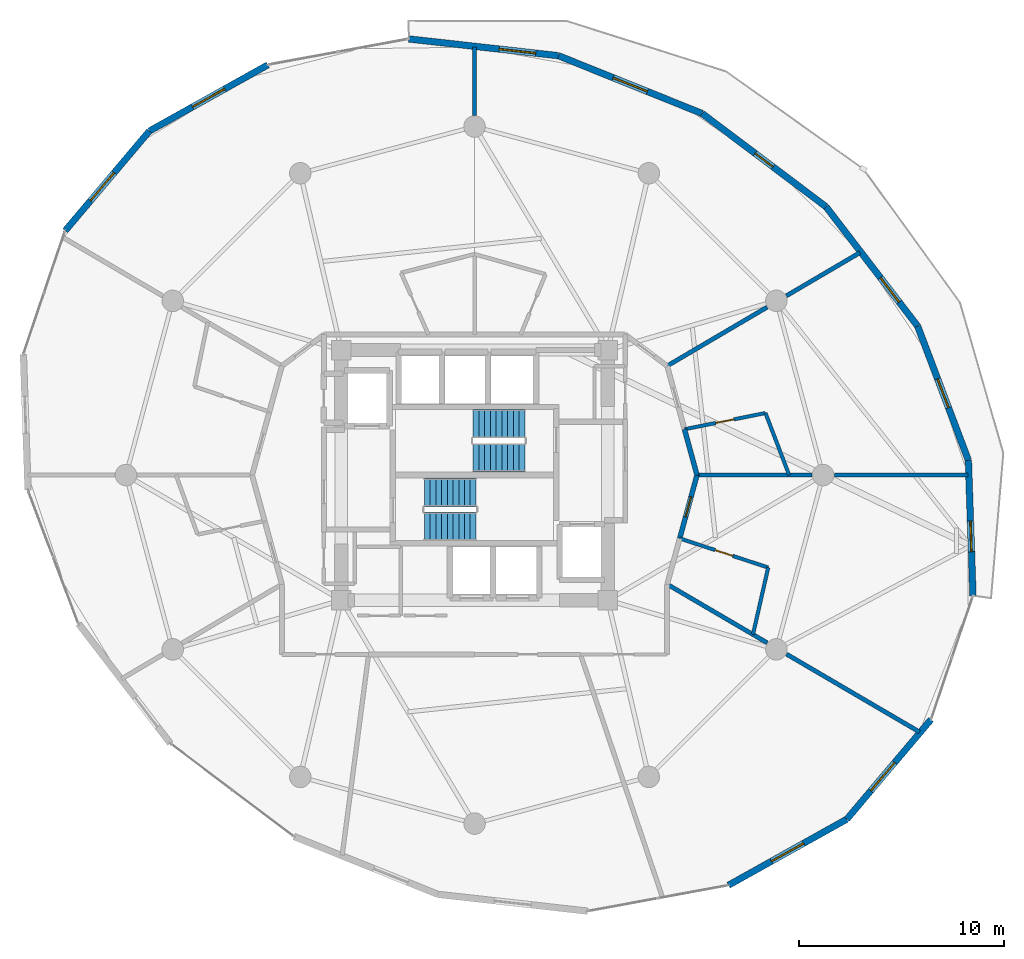
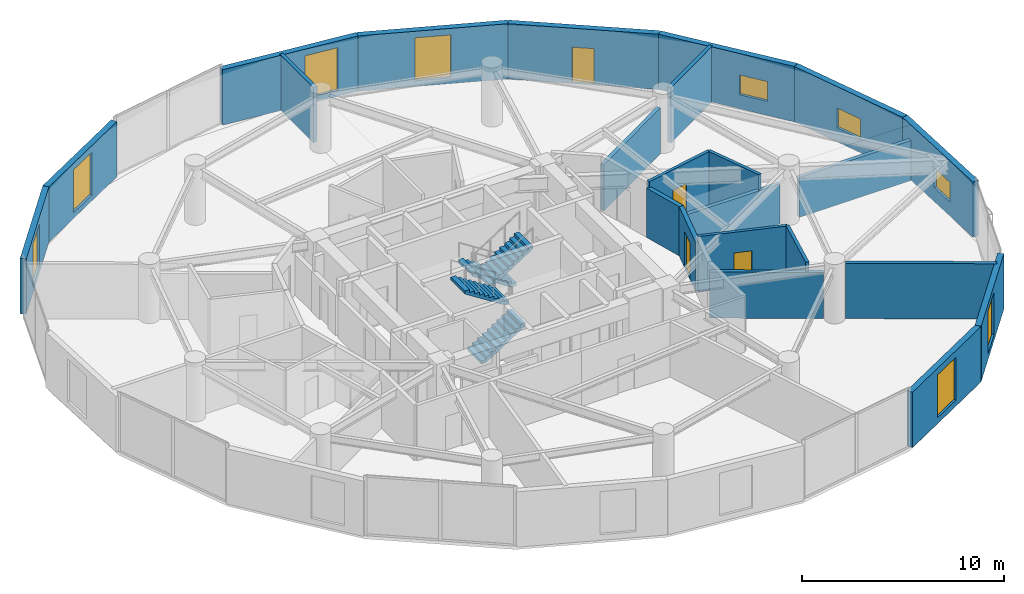
# One storey, part 20 of 23: 23 walls, 9 windows, 4 doors, 4 stair flights, 13 openings, 2 elements without a shape of their own.
"""IFC4 building model written with IfcOpenShell, lengths in metres."""

from ifc_helpers import new_model, si_unit, direction, frame, frame_2d, origin, place, context, subcontext, project, spatial, polyline, rectangle, outline, extrude, material, layer, layer_set, type_object, element, fill, aggregate, save


model = new_model("IFC4")

# Units and contexts
model_context = context("Model", 3, precision=1e-05, world=origin(), true_north=direction((0.0, 1.0)))
body_context = subcontext(model_context, "Body", "Model", "MODEL_VIEW")
ifc_project = project(units=[si_unit("LENGTHUNIT", "METRE"), si_unit("AREAUNIT", "SQUARE_METRE"), si_unit("VOLUMEUNIT", "CUBIC_METRE"), si_unit("PLANEANGLEUNIT", "RADIAN"), si_unit("MASSUNIT", "GRAM", prefix="KILO")], contexts=[model_context])

# Site, building, storey
site_placement = place(None, origin())
site = spatial("IfcSite", under=ifc_project, at=site_placement, CompositionType="ELEMENT")
building_placement = place(site_placement, origin())
building = spatial("IfcBuilding", under=site, at=building_placement, Name="Solvirekh Grand Hotel", CompositionType="ELEMENT")
storey_placement = place(building_placement, frame((0.0, 0.0, 109.800048828125)))
storey = spatial("IfcBuildingStorey", under=building, at=storey_placement, Name="L27", CompositionType="ELEMENT", Elevation=109.800048828125)

# Wall, opening, window
ifc_material_1 = material(Name="Precast concrete C45/55", Category="concrete")
ifc_layer_1 = layer(ifc_material_1, 0.320068359375)
ifc_layer_set_1 = layer_set([ifc_layer_1], Name="Precast concrete C45/55")
wall_type_1 = type_object("IfcWallType", Name="ExtLobbyWall_RC320", PredefinedType="SOLIDWALL", material=ifc_layer_set_1)
wall_1_placement = place(storey_placement, frame((24.0859375, 0.722900390625, 0.0), z_axis=(0.0, 0.0, 1.0), x_axis=(0.034040106065, -0.999420467661, 0.0)))
wall_1 = element("IfcWall", 1, at=wall_1_placement, inside=storey, type_object=wall_type_1, Name="L27 cantilevered deck support wall chord 2", PredefinedType="SOLIDWALL", context=body_context, shape_type="SweptSolid", body=[
    extrude(rectangle(XDim=6.61279296875, YDim=0.320068359375, at=frame_2d((3.306396484375, 0.0))), origin(), (0.0, 0.0, 1.0), 3.349853515625),
])
opening_1_placement = place(wall_1_placement, frame((2.967041015625, 0.0, 0.85009765625)))
opening_1 = element("IfcOpeningElement", 2, at=opening_1_placement, cuts=wall_1, Name="Opening W05", PredefinedType="OPENING", context=body_context, shape_type="SweptSolid", body=[
    extrude(rectangle(XDim=1.5, YDim=1.199951171875, at=frame_2d((0.75, 0.60009765625))), frame((0.0, 0.169921875, 0.0), z_axis=(0.0, -1.0, 0.0), x_axis=(1.0, 0.0, 0.0)), (0.0, 0.0, 1.0), 0.340087890625),
])
ifc_material_2 = material(Name="Low-E Tinted Bronze Laminated Glass", Category="aluminium")
window_type_1 = type_object("IfcWindowType", Name="Win_PlantVent_1500X1200", PartitioningType="SINGLE_PANEL", PredefinedType="WINDOW", material=ifc_material_2)
window_1_placement = place(opening_1_placement, origin())
window_1 = element("IfcWindow", 3, at=window_1_placement, inside=storey, type_object=window_type_1, Name="L27 bronze-framed vision ribbon window 2", OverallHeight=1.199951171875, OverallWidth=1.5, PartitioningType="SINGLE_PANEL", PredefinedType="WINDOW", context=body_context, shape_type="SweptSolid", body=[
    extrude(rectangle(XDim=1.5, YDim=1.199951171875, at=frame_2d((0.75, 0.60009765625))), frame((0.0, 0.030029296875, 0.0), z_axis=(0.0, -1.0, 0.0), x_axis=(1.0, 0.0, 0.0)), (0.0, 0.0, 1.0), 0.06005859375),
])
fill(opening_1, window_1)

wall_2_placement = place(storey_placement, frame((21.614990234375, 7.260986328125, 0.0), z_axis=(0.0, 0.0, 1.0), x_axis=(0.353526231911, -0.93542461126, 0.0)))
wall_2 = element("IfcWall", 4, at=wall_2_placement, inside=storey, type_object=wall_type_1, Name="L27 cantilevered deck support wall chord 3", PredefinedType="SOLIDWALL", context=body_context, shape_type="SweptSolid", body=[
    extrude(rectangle(XDim=6.989501953125, YDim=0.320068359375, at=frame_2d((3.49462890625, 0.0))), origin(), (0.0, 0.0, 1.0), 3.349853515625),
])
opening_2_placement = place(wall_2_placement, frame((2.7451171875, 0.0, 0.85009765625)))
opening_2 = element("IfcOpeningElement", 5, at=opening_2_placement, cuts=wall_2, Name="Opening W05", PredefinedType="OPENING", context=body_context, shape_type="SweptSolid", body=[
    extrude(rectangle(XDim=1.5, YDim=1.199951171875, at=frame_2d((0.75, 0.60009765625))), frame((0.0, 0.169921875, 0.0), z_axis=(0.0, -1.0, 0.0), x_axis=(1.0, 0.0, 0.0)), (0.0, 0.0, 1.0), 0.340087890625),
])
window_2_placement = place(opening_2_placement, origin())
window_2 = element("IfcWindow", 6, at=window_2_placement, inside=storey, type_object=window_type_1, Name="L27 bronze-framed vision ribbon window 3", OverallHeight=1.199951171875, OverallWidth=1.5, PartitioningType="SINGLE_PANEL", PredefinedType="WINDOW", context=body_context, shape_type="SweptSolid", body=[
    extrude(rectangle(XDim=1.5, YDim=1.199951171875, at=frame_2d((0.75, 0.60009765625))), frame((0.0, 0.030029296875, 0.0), z_axis=(0.0, -1.0, 0.0), x_axis=(1.0, 0.0, 0.0)), (0.0, 0.0, 1.0), 0.06005859375),
])
fill(opening_2, window_2)

wall_3_placement = place(storey_placement, frame((17.14208984375, 13.089111328125, 0.0), z_axis=(0.0, 0.0, 1.0), x_axis=(0.608831916989, -0.793299247986, 0.0)))
wall_3 = element("IfcWall", 7, at=wall_3_placement, inside=storey, type_object=wall_type_1, Name="L27 cantilevered deck support wall chord 4", PredefinedType="SOLIDWALL", context=body_context, shape_type="SweptSolid", body=[
    extrude(rectangle(XDim=7.3466796875, YDim=0.320068359375, at=frame_2d((3.67333984375, 0.0))), origin(), (0.0, 0.0, 1.0), 3.349853515625),
])
opening_3_placement = place(wall_3_placement, frame((4.364990234375, 0.0, 0.85009765625)))
opening_3 = element("IfcOpeningElement", 8, at=opening_3_placement, cuts=wall_3, Name="Opening W05", PredefinedType="OPENING", context=body_context, shape_type="SweptSolid", body=[
    extrude(rectangle(XDim=1.5, YDim=1.199951171875, at=frame_2d((0.75, 0.60009765625))), frame((0.0, 0.169921875, 0.0), z_axis=(0.0, -1.0, 0.0), x_axis=(1.0, 0.0, 0.0)), (0.0, 0.0, 1.0), 0.340087890625),
])
window_3_placement = place(opening_3_placement, origin())
window_3 = element("IfcWindow", 9, at=window_3_placement, inside=storey, type_object=window_type_1, Name="L27 bronze-framed vision ribbon window 4", OverallHeight=1.199951171875, OverallWidth=1.5, PartitioningType="SINGLE_PANEL", PredefinedType="WINDOW", context=body_context, shape_type="SweptSolid", body=[
    extrude(rectangle(XDim=1.5, YDim=1.199951171875, at=frame_2d((0.75, 0.60009765625))), frame((0.0, 0.030029296875, 0.0), z_axis=(0.0, -1.0, 0.0), x_axis=(1.0, 0.0, 0.0)), (0.0, 0.0, 1.0), 0.06005859375),
])
fill(opening_3, window_3)

# Wall, opening, door
wall_4_placement = place(storey_placement, frame((11.10302734375, 17.635009765625, 0.0), z_axis=(0.0, 0.0, 1.0), x_axis=(0.798944530401, -0.601404720087, 0.0)))
wall_4 = element("IfcWall", 10, at=wall_4_placement, inside=storey, type_object=wall_type_1, Name="L27 exterior structural wall chord 5", PredefinedType="SOLIDWALL", context=body_context, shape_type="SweptSolid", body=[
    extrude(rectangle(XDim=7.558837890625, YDim=0.320068359375, at=frame_2d((3.779296875, 0.0))), origin(), (0.0, 0.0, 1.0), 3.349853515625),
])
opening_4_placement = place(wall_4_placement, frame((3.22900390625, 0.0, 0.0)))
opening_4 = element("IfcOpeningElement", 11, at=opening_4_placement, cuts=wall_4, Name="Opening D03", PredefinedType="OPENING", context=body_context, shape_type="SweptSolid", body=[
    extrude(rectangle(XDim=1.10009765625, YDim=2.199951171875, at=frame_2d((0.550048828125, 1.10009765625))), frame((0.0, 0.169921875, 0.0), z_axis=(0.0, -1.0, 0.0), x_axis=(1.0, 0.0, 0.0)), (0.0, 0.0, 1.0), 0.340087890625),
])
ifc_material_3 = material(Name="Anodized Bronze Aluminium 6063-T6", Category="aluminium")
door_type_1 = type_object("IfcDoorType", Name="Door_ExtBalcony_1100X2200", OperationType="NOTDEFINED", PredefinedType="DOOR", material=ifc_material_3)
door_1_placement = place(opening_4_placement, origin())
door_1 = element("IfcDoor", 12, at=door_1_placement, inside=storey, type_object=door_type_1, Name="L27 Crescent balcony glazed door (5)", OperationType="SINGLE_SWING_RIGHT", OverallHeight=2.199951171875, OverallWidth=1.10009765625, PredefinedType="DOOR", context=body_context, shape_type="SweptSolid", body=[
    extrude(rectangle(XDim=1.10009765625, YDim=2.199951171875, at=frame_2d((0.550048828125, 1.10009765625))), frame((0.0, 0.02490234375, 0.0), z_axis=(0.0, -1.0, 0.0), x_axis=(1.0, 0.0, 0.0)), (0.0, 0.0, 1.0), 0.050048828125),
])
fill(opening_4, door_1)

# Wall, opening, window
wall_5_placement = place(storey_placement, frame((4.090087890625, 20.455078125, 0.0), z_axis=(0.0, 0.0, 1.0), x_axis=(0.927795739468, -0.373088549577, 0.0)))
wall_5 = element("IfcWall", 13, at=wall_5_placement, inside=storey, type_object=wall_type_1, Name="L27 exterior structural wall chord 6", PredefinedType="SOLIDWALL", context=body_context, shape_type="SweptSolid", body=[
    extrude(rectangle(XDim=7.55859375, YDim=0.320068359375, at=frame_2d((3.779296875, 0.0))), origin(), (0.0, 0.0, 1.0), 3.349853515625),
])
opening_5_placement = place(wall_5_placement, frame((2.87890625, 0.0, 0.35009765625)))
opening_5 = element("IfcOpeningElement", 14, at=opening_5_placement, cuts=wall_5, Name="Opening W02", PredefinedType="OPENING", context=body_context, shape_type="SweptSolid", body=[
    extrude(rectangle(XDim=1.800048828125, YDim=2.60009765625, at=frame_2d((0.89990234375, 1.300048828125))), frame((0.0, 0.169921875, 0.0), z_axis=(0.0, -1.0, 0.0), x_axis=(1.0, 0.0, 0.0)), (0.0, 0.0, 1.0), 0.340087890625),
])
window_type_2 = type_object("IfcWindowType", Name="Win_LobbyExt_1800X2600", PartitioningType="SINGLE_PANEL", PredefinedType="WINDOW", material=ifc_material_2)
window_4_placement = place(opening_5_placement, origin())
window_4 = element("IfcWindow", 15, at=window_4_placement, inside=storey, type_object=window_type_2, Name="L27 panoramic bronze-framed window 6", OverallHeight=2.60009765625, OverallWidth=1.800048828125, PartitioningType="SINGLE_PANEL", PredefinedType="WINDOW", context=body_context, shape_type="SweptSolid", body=[
    extrude(rectangle(XDim=1.800048828125, YDim=2.60009765625, at=frame_2d((0.89990234375, 1.300048828125))), frame((0.0, 0.030029296875, 0.0), z_axis=(0.0, -1.0, 0.0), x_axis=(1.0, 0.0, 0.0)), (0.0, 0.0, 1.0), 0.06005859375),
])
fill(opening_5, window_4)

wall_6_placement = place(storey_placement, frame((-3.2109375, 21.27294921875, 0.0), z_axis=(0.0, 0.0, 1.0), x_axis=(0.993784044115, -0.111325081016, 0.0)))
wall_6 = element("IfcWall", 16, at=wall_6_placement, inside=storey, type_object=wall_type_1, Name="L27 exterior structural wall chord 7", PredefinedType="SOLIDWALL", context=body_context, shape_type="SweptSolid", body=[
    extrude(rectangle(XDim=7.3466796875, YDim=0.320068359375, at=frame_2d((3.67333984375, 0.0))), origin(), (0.0, 0.0, 1.0), 3.349853515625),
])
opening_6_placement = place(wall_6_placement, frame((4.44091796875, 0.0, 0.35009765625)))
opening_6 = element("IfcOpeningElement", 17, at=opening_6_placement, cuts=wall_6, Name="Opening W02", PredefinedType="OPENING", context=body_context, shape_type="SweptSolid", body=[
    extrude(rectangle(XDim=1.800048828125, YDim=2.60009765625, at=frame_2d((0.89990234375, 1.300048828125))), frame((0.0, 0.169921875, 0.0), z_axis=(0.0, -1.0, 0.0), x_axis=(1.0, 0.0, 0.0)), (0.0, 0.0, 1.0), 0.340087890625),
])
window_5_placement = place(opening_6_placement, origin())
window_5 = element("IfcWindow", 18, at=window_5_placement, inside=storey, type_object=window_type_2, Name="L27 panoramic bronze-framed window 7", OverallHeight=2.60009765625, OverallWidth=1.800048828125, PartitioningType="SINGLE_PANEL", PredefinedType="WINDOW", context=body_context, shape_type="SweptSolid", body=[
    extrude(rectangle(XDim=1.800048828125, YDim=2.60009765625, at=frame_2d((0.89990234375, 1.300048828125))), frame((0.0, 0.030029296875, 0.0), z_axis=(0.0, -1.0, 0.0), x_axis=(1.0, 0.0, 0.0)), (0.0, 0.0, 1.0), 0.06005859375),
])
fill(opening_6, window_5)

wall_7_placement = place(storey_placement, frame((-15.85888671875, 16.784912109375, 0.0), z_axis=(0.0, 0.0, 1.0), x_axis=(0.873166276034, 0.487422459882, 0.0)))
wall_7 = element("IfcWall", 19, at=wall_7_placement, inside=storey, type_object=wall_type_1, Name="L27 exterior structural wall chord 9", PredefinedType="SOLIDWALL", context=body_context, shape_type="SweptSolid", body=[
    extrude(rectangle(XDim=6.612548828125, YDim=0.320068359375, at=frame_2d((3.30615234375, 0.0))), origin(), (0.0, 0.0, 1.0), 3.349853515625),
])
opening_7_placement = place(wall_7_placement, frame((2.406005859375, 0.0, 0.35009765625)))
opening_7 = element("IfcOpeningElement", 20, at=opening_7_placement, cuts=wall_7, Name="Opening W02", PredefinedType="OPENING", context=body_context, shape_type="SweptSolid", body=[
    extrude(rectangle(XDim=1.800048828125, YDim=2.60009765625, at=frame_2d((0.89990234375, 1.300048828125))), frame((0.0, 0.169921875, 0.0), z_axis=(0.0, -1.0, 0.0), x_axis=(1.0, 0.0, 0.0)), (0.0, 0.0, 1.0), 0.340087890625),
])
window_6_placement = place(opening_7_placement, origin())
window_6 = element("IfcWindow", 21, at=window_6_placement, inside=storey, type_object=window_type_2, Name="L27 panoramic bronze-framed window 9", OverallHeight=2.60009765625, OverallWidth=1.800048828125, PartitioningType="SINGLE_PANEL", PredefinedType="WINDOW", context=body_context, shape_type="SweptSolid", body=[
    extrude(rectangle(XDim=1.800048828125, YDim=2.60009765625, at=frame_2d((0.89990234375, 1.300048828125))), frame((0.0, 0.030029296875, 0.0), z_axis=(0.0, -1.0, 0.0), x_axis=(1.0, 0.0, 0.0)), (0.0, 0.0, 1.0), 0.06005859375),
])
fill(opening_7, window_6)

wall_8_placement = place(storey_placement, frame((-19.968994140625, 11.9189453125, 0.0), z_axis=(0.0, 0.0, 1.0), x_axis=(0.645278763483, 0.763947195425, 0.0)))
wall_8 = element("IfcWall", 22, at=wall_8_placement, inside=storey, type_object=wall_type_1, Name="L27 exterior structural wall chord 10", PredefinedType="SOLIDWALL", context=body_context, shape_type="SweptSolid", body=[
    extrude(rectangle(XDim=6.369384765625, YDim=0.320068359375, at=frame_2d((3.1845703125, 0.0))), origin(), (0.0, 0.0, 1.0), 3.349853515625),
])
opening_8_placement = place(wall_8_placement, frame((1.905029296875, 0.0, 0.35009765625)))
opening_8 = element("IfcOpeningElement", 23, at=opening_8_placement, cuts=wall_8, Name="Opening W02", PredefinedType="OPENING", context=body_context, shape_type="SweptSolid", body=[
    extrude(rectangle(XDim=1.800048828125, YDim=2.60009765625, at=frame_2d((0.89990234375, 1.300048828125))), frame((0.0, 0.169921875, 0.0), z_axis=(0.0, -1.0, 0.0), x_axis=(1.0, 0.0, 0.0)), (0.0, 0.0, 1.0), 0.340087890625),
])
window_7_placement = place(opening_8_placement, origin())
window_7 = element("IfcWindow", 24, at=window_7_placement, inside=storey, type_object=window_type_2, Name="L27 panoramic bronze-framed window 10", OverallHeight=2.60009765625, OverallWidth=1.800048828125, PartitioningType="SINGLE_PANEL", PredefinedType="WINDOW", context=body_context, shape_type="SweptSolid", body=[
    extrude(rectangle(XDim=1.800048828125, YDim=2.60009765625, at=frame_2d((0.89990234375, 1.300048828125))), frame((0.0, 0.030029296875, 0.0), z_axis=(0.0, -1.0, 0.0), x_axis=(1.0, 0.0, 0.0)), (0.0, 0.0, 1.0), 0.06005859375),
])
fill(opening_8, window_7)

wall_9_placement = place(storey_placement, frame((18.158935546875, -16.784912109375, 0.0), z_axis=(0.0, 0.0, 1.0), x_axis=(-0.873166276034, -0.487422459882, 0.0)))
wall_9 = element("IfcWall", 25, at=wall_9_placement, inside=storey, type_object=wall_type_1, Name="L27 exterior structural wall chord 19", PredefinedType="SOLIDWALL", context=body_context, shape_type="SweptSolid", body=[
    extrude(rectangle(XDim=6.612548828125, YDim=0.320068359375, at=frame_2d((3.30615234375, 0.0))), origin(), (0.0, 0.0, 1.0), 3.349853515625),
])
opening_9_placement = place(wall_9_placement, frame((2.406005859375, 0.0, 0.35009765625)))
opening_9 = element("IfcOpeningElement", 26, at=opening_9_placement, cuts=wall_9, Name="Opening W02", PredefinedType="OPENING", context=body_context, shape_type="SweptSolid", body=[
    extrude(rectangle(XDim=1.800048828125, YDim=2.60009765625, at=frame_2d((0.89990234375, 1.300048828125))), frame((0.0, 0.169921875, 0.0), z_axis=(0.0, -1.0, 0.0), x_axis=(1.0, 0.0, 0.0)), (0.0, 0.0, 1.0), 0.340087890625),
])
window_8_placement = place(opening_9_placement, origin())
window_8 = element("IfcWindow", 27, at=window_8_placement, inside=storey, type_object=window_type_2, Name="L27 panoramic bronze-framed window 19", OverallHeight=2.60009765625, OverallWidth=1.800048828125, PartitioningType="SINGLE_PANEL", PredefinedType="WINDOW", context=body_context, shape_type="SweptSolid", body=[
    extrude(rectangle(XDim=1.800048828125, YDim=2.60009765625, at=frame_2d((0.89990234375, 1.300048828125))), frame((0.0, 0.030029296875, 0.0), z_axis=(0.0, -1.0, 0.0), x_axis=(1.0, 0.0, 0.0)), (0.0, 0.0, 1.0), 0.06005859375),
])
fill(opening_9, window_8)

wall_10_placement = place(storey_placement, frame((22.26904296875, -11.9189453125, 0.0), z_axis=(0.0, 0.0, 1.0), x_axis=(-0.645278763483, -0.763947195425, 0.0)))
wall_10 = element("IfcWall", 28, at=wall_10_placement, inside=storey, type_object=wall_type_1, Name="L27 exterior structural wall chord 20", PredefinedType="SOLIDWALL", context=body_context, shape_type="SweptSolid", body=[
    extrude(rectangle(XDim=6.369384765625, YDim=0.320068359375, at=frame_2d((3.1845703125, 0.0))), origin(), (0.0, 0.0, 1.0), 3.349853515625),
])
opening_10_placement = place(wall_10_placement, frame((2.7509765625, 0.0, 0.35009765625)))
opening_10 = element("IfcOpeningElement", 29, at=opening_10_placement, cuts=wall_10, Name="Opening W02", PredefinedType="OPENING", context=body_context, shape_type="SweptSolid", body=[
    extrude(rectangle(XDim=1.800048828125, YDim=2.60009765625, at=frame_2d((0.89990234375, 1.300048828125))), frame((0.0, 0.169921875, 0.0), z_axis=(0.0, -1.0, 0.0), x_axis=(1.0, 0.0, 0.0)), (0.0, 0.0, 1.0), 0.340087890625),
])
window_9_placement = place(opening_10_placement, origin())
window_9 = element("IfcWindow", 30, at=window_9_placement, inside=storey, type_object=window_type_2, Name="L27 panoramic bronze-framed window 20", OverallHeight=2.60009765625, OverallWidth=1.800048828125, PartitioningType="SINGLE_PANEL", PredefinedType="WINDOW", context=body_context, shape_type="SweptSolid", body=[
    extrude(rectangle(XDim=1.800048828125, YDim=2.60009765625, at=frame_2d((0.89990234375, 1.300048828125))), frame((0.0, 0.030029296875, 0.0), z_axis=(0.0, -1.0, 0.0), x_axis=(1.0, 0.0, 0.0)), (0.0, 0.0, 1.0), 0.06005859375),
])
fill(opening_10, window_9)

# Wall, opening, door
ifc_material_4 = material(Name="Acoustic Gypsum Partition Assembly")
ifc_layer_2 = layer(ifc_material_4, 0.239990234375)
ifc_layer_set_2 = layer_set([ifc_layer_2], Name="Acoustic Gypsum Partition Assembly")
wall_type_2 = type_object("IfcWallType", Name="Part_Corridor_240", PredefinedType="PARTITIONING", material=ifc_layer_set_2)
wall_11_placement = place(storey_placement, frame((10.007080078125, -3.089111328125, 0.0), z_axis=(0.0, 0.0, 1.0), x_axis=(0.263272237376, 0.964721581093, 0.0)))
wall_11 = element("IfcWall", 31, at=wall_11_placement, inside=storey, type_object=wall_type_2, Name="L27 Deluxe Guestroom 2905 entrance wall", PredefinedType="PARTITIONING", context=body_context, shape_type="SweptSolid", body=[
    extrude(rectangle(XDim=3.2021484375, YDim=0.239990234375, at=frame_2d((1.60107421875, 0.0))), origin(), (0.0, 0.0, 1.0), 2.98486328125),
])
opening_11_placement = place(wall_11_placement, frame((1.10107421875, 0.0, 0.0)))
opening_11 = element("IfcOpeningElement", 32, at=opening_11_placement, cuts=wall_11, Name="Opening D07", PredefinedType="OPENING", context=body_context, shape_type="SweptSolid", body=[
    extrude(rectangle(XDim=1.0, YDim=2.199951171875, at=frame_2d((0.5, 1.10009765625))), frame((0.0, 0.1298828125, 0.0), z_axis=(0.0, -1.0, 0.0), x_axis=(1.0, 0.0, 0.0)), (0.0, 0.0, 1.0), 0.260009765625),
])
ifc_material_5 = material(Name="Fire-Rated Steel Door Assembly", Category="steel")
door_type_2 = type_object("IfcDoorType", Name="Door_GuestEntry_1000X2200", OperationType="NOTDEFINED", PredefinedType="DOOR", material=ifc_material_5)
door_2_placement = place(opening_11_placement, origin())
door_2 = element("IfcDoor", 33, at=door_2_placement, inside=storey, type_object=door_type_2, Name="L27 Deluxe Guestroom 2905 entrance door", OperationType="SINGLE_SWING_RIGHT", OverallHeight=2.199951171875, OverallWidth=1.0, PredefinedType="DOOR", context=body_context, shape_type="SweptSolid", body=[
    extrude(rectangle(XDim=1.0, YDim=2.199951171875, at=frame_2d((0.5, 1.10009765625))), frame((0.0, 0.02490234375, 0.0), z_axis=(0.0, -1.0, 0.0), x_axis=(1.0, 0.0, 0.0)), (0.0, 0.0, 1.0), 0.050048828125),
])
fill(opening_11, door_2)

# Walls
wall_12_placement = place(storey_placement, frame((10.85009765625, 0.0, 0.0), z_axis=(0.0, 0.0, 1.0), x_axis=(-0.263616426241, 0.964627586074, 0.0)))
element("IfcWall", 34, at=wall_12_placement, inside=storey, type_object=wall_type_2, Name="L27 En-suite Bathroom 2906 corridor backing wall", PredefinedType="PARTITIONING", context=body_context, shape_type="SweptSolid", body=[
    extrude(rectangle(XDim=2.318115234375, YDim=0.239990234375, at=frame_2d((1.1591796875, 0.0))), origin(), (0.0, 0.0, 1.0), 2.98486328125),
])
ifc_layer_3 = layer(ifc_material_4, 0.2099609375)
ifc_layer_set_3 = layer_set([ifc_layer_3], Name="Acoustic Gypsum Partition Assembly")
wall_type_3 = type_object("IfcWallType", Name="Part_SuiteDemise_210", PredefinedType="PARTITIONING", material=ifc_layer_set_3)
wall_13_placement = place(storey_placement, frame((10.85009765625, 0.0, 0.0), z_axis=(0.0, 0.0, 1.0), x_axis=(1.0, 0.0, 0.0)))
element("IfcWall", 35, at=wall_13_placement, inside=storey, type_object=wall_type_3, Name="L27 suite radial wall 1 (A)", PredefinedType="PARTITIONING", context=body_context, shape_type="SweptSolid", body=[
    extrude(rectangle(XDim=5.60498046875, YDim=0.2099609375, at=frame_2d((2.802490234375, 0.0))), origin(), (0.0, 0.0, 1.0), 2.4208984375),
])
wall_14_placement = place(storey_placement, frame((17.544921875, 0.0, 0.0), z_axis=(0.0, 0.0, 1.0), x_axis=(1.0, 0.0, 0.0)))
element("IfcWall", 36, at=wall_14_placement, inside=storey, type_object=wall_type_3, Name="L27 suite radial wall 1 (B)", PredefinedType="PARTITIONING", context=body_context, shape_type="SweptSolid", body=[
    extrude(rectangle(XDim=6.526123046875, YDim=0.2099609375, at=frame_2d((3.26318359375, 0.0))), origin(), (0.0, 0.0, 1.0), 2.4208984375),
])
wall_15_placement = place(storey_placement, frame((9.39599609375, 5.324951171875, 0.0), z_axis=(0.0, 0.0, 1.0), x_axis=(0.862032950085, 0.506852239778, 0.0)))
element("IfcWall", 37, at=wall_15_placement, inside=storey, type_object=wall_type_3, Name="L27 suite radial wall 2 (A)", PredefinedType="PARTITIONING", context=body_context, shape_type="SweptSolid", body=[
    extrude(rectangle(XDim=5.65625, YDim=0.2099609375, at=frame_2d((2.828125, 0.0))), origin(), (0.0, 0.0, 1.0), 2.791015625),
])
wall_16_placement = place(storey_placement, frame((15.2099609375, 8.742919921875, 0.0), z_axis=(0.0, 0.0, 1.0), x_axis=(0.862004936616, 0.506899880894, 0.0)))
element("IfcWall", 38, at=wall_16_placement, inside=storey, type_object=wall_type_3, Name="L27 suite radial wall 2 (B)", PredefinedType="PARTITIONING", context=body_context, shape_type="SweptSolid", body=[
    extrude(rectangle(XDim=4.17041015625, YDim=0.2099609375, at=frame_2d((2.085205078125, 0.0))), origin(), (0.0, 0.0, 1.0), 3.349853515625),
])
wall_17_placement = place(storey_placement, frame((9.39599609375, -5.324951171875, 0.0), z_axis=(0.0, 0.0, 1.0), x_axis=(0.862912125579, -0.505353998232, 0.0)))
element("IfcWall", 39, at=wall_17_placement, inside=storey, type_object=wall_type_3, Name="L27 suite radial wall 12 (A)", PredefinedType="PARTITIONING", context=body_context, shape_type="SweptSolid", body=[
    extrude(rectangle(XDim=5.65771484375, YDim=0.2099609375, at=frame_2d((2.828857421875, 0.0))), origin(), (0.0, 0.0, 1.0), 2.791015625),
])
wall_18_placement = place(storey_placement, frame((15.215087890625, -8.73193359375, 0.0), z_axis=(0.0, 0.0, 1.0), x_axis=(0.862960241997, -0.505271828556, 0.0)))
element("IfcWall", 40, at=wall_18_placement, inside=storey, type_object=wall_type_3, Name="L27 suite radial wall 12 (B)", PredefinedType="PARTITIONING", context=body_context, shape_type="SweptSolid", body=[
    extrude(rectangle(XDim=7.516845703125, YDim=0.2099609375, at=frame_2d((3.75830078125, 0.0))), origin(), (0.0, 0.0, 1.0), 3.349853515625),
])
wall_19_placement = place(storey_placement, frame((0.0, 17.544921875, 0.0), z_axis=(0.0, 0.0, 1.0), x_axis=(0.0, 1.0, 0.0)))
element("IfcWall", 41, at=wall_19_placement, inside=storey, type_object=wall_type_3, Name="L27 Panorama Suite 2901 dividing partition 1 (B)", PredefinedType="PARTITIONING", context=body_context, shape_type="SweptSolid", body=[
    extrude(rectangle(XDim=3.328125, YDim=0.2099609375, at=frame_2d((1.6640625, 0.0))), origin(), (0.0, 0.0, 1.0), 3.349853515625),
])
ifc_layer_4 = layer(ifc_material_4, 0.175048828125)
ifc_layer_set_4 = layer_set([ifc_layer_4], Name="Acoustic Gypsum Partition Assembly")
wall_type_4 = type_object("IfcWallType", Name="Plumb_Ensuite_175", PredefinedType="PLUMBINGWALL", material=ifc_layer_set_4)
wall_20_placement = place(storey_placement, frame((13.580078125, -7.77490234375, 0.0), z_axis=(0.0, 0.0, 1.0), x_axis=(0.221599041774, 0.975137869578, 0.0)))
element("IfcWall", 42, at=wall_20_placement, inside=storey, type_object=wall_type_4, Name="L27 En-suite Bathroom 2905 outer plumbing wall", PredefinedType="PLUMBINGWALL", context=body_context, shape_type="SweptSolid", body=[
    extrude(rectangle(XDim=3.34814453125, YDim=0.175048828125, at=frame_2d((1.674072265625, 0.0))), origin(), (0.0, 0.0, 1.0), 3.349853515625),
])

# Wall, opening, door
wall_21_placement = place(storey_placement, frame((10.007080078125, -3.089111328125, 0.0), z_axis=(0.0, 0.0, 1.0), x_axis=(0.949827092004, -0.312775471057, 0.0)))
wall_21 = element("IfcWall", 43, at=wall_21_placement, inside=storey, type_object=wall_type_4, Name="L27 En-suite Bathroom 2905 entry plumbing wall", PredefinedType="PLUMBINGWALL", context=body_context, shape_type="SweptSolid", body=[
    extrude(rectangle(XDim=4.54296875, YDim=0.175048828125, at=frame_2d((2.271484375, 0.0))), origin(), (0.0, 0.0, 1.0), 3.349853515625),
])
opening_12_placement = place(wall_21_placement, frame((1.821044921875, 0.0, 0.0)))
opening_12 = element("IfcOpeningElement", 44, at=opening_12_placement, cuts=wall_21, Name="Opening D09", PredefinedType="OPENING", context=body_context, shape_type="SweptSolid", body=[
    extrude(rectangle(XDim=0.89990234375, YDim=2.10009765625, at=frame_2d((0.449951171875, 1.050048828125))), frame((0.0, 0.09765625, 0.0), z_axis=(0.0, -1.0, 0.0), x_axis=(1.0, 0.0, 0.0)), (0.0, 0.0, 1.0), 0.195068359375),
])
door_type_3 = type_object("IfcDoorType", Name="Door_Ensuite_900X2100", OperationType="NOTDEFINED", PredefinedType="DOOR", material=ifc_material_3)
door_3_placement = place(opening_12_placement, origin())
door_3 = element("IfcDoor", 45, at=door_3_placement, inside=storey, type_object=door_type_3, Name="L27 En-suite Bathroom 2905 door", OperationType="SINGLE_SWING_LEFT", OverallHeight=2.10009765625, OverallWidth=0.89990234375, PredefinedType="DOOR", context=body_context, shape_type="SweptSolid", body=[
    extrude(rectangle(XDim=0.89990234375, YDim=2.10009765625, at=frame_2d((0.449951171875, 1.050048828125))), frame((0.0, 0.02490234375, 0.0), z_axis=(0.0, -1.0, 0.0), x_axis=(1.0, 0.0, 0.0)), (0.0, 0.0, 1.0), 0.050048828125),
])
fill(opening_12, door_3)

# Wall
wall_22_placement = place(storey_placement, frame((15.344970703125, 0.0, 0.0), z_axis=(0.0, 0.0, 1.0), x_axis=(-0.35661902988, 0.934249895653, 0.0)))
element("IfcWall", 46, at=wall_22_placement, inside=storey, type_object=wall_type_4, Name="L27 En-suite Bathroom 2906 outer plumbing wall", PredefinedType="PLUMBINGWALL", context=body_context, shape_type="SweptSolid", body=[
    extrude(rectangle(XDim=3.23876953125, YDim=0.175048828125, at=frame_2d((1.619384765625, 0.0))), origin(), (0.0, 0.0, 1.0), 3.349853515625),
])

# Wall, opening, door
wall_23_placement = place(storey_placement, frame((10.239013671875, 2.236083984375, 0.0), z_axis=(0.0, 0.0, 1.0), x_axis=(0.980599315693, 0.196022912085, 0.0)))
wall_23 = element("IfcWall", 47, at=wall_23_placement, inside=storey, type_object=wall_type_4, Name="L27 En-suite Bathroom 2906 entry plumbing wall", PredefinedType="PLUMBINGWALL", context=body_context, shape_type="SweptSolid", body=[
    extrude(rectangle(XDim=4.029052734375, YDim=0.175048828125, at=frame_2d((2.0146484375, 0.0))), origin(), (0.0, 0.0, 1.0), 3.349853515625),
])
opening_13_placement = place(wall_23_placement, frame((1.56494140625, 0.0, 0.0)))
opening_13 = element("IfcOpeningElement", 48, at=opening_13_placement, cuts=wall_23, Name="Opening D09", PredefinedType="OPENING", context=body_context, shape_type="SweptSolid", body=[
    extrude(rectangle(XDim=0.89990234375, YDim=2.10009765625, at=frame_2d((0.449951171875, 1.050048828125))), frame((0.0, 0.09765625, 0.0), z_axis=(0.0, -1.0, 0.0), x_axis=(1.0, 0.0, 0.0)), (0.0, 0.0, 1.0), 0.195068359375),
])
door_4_placement = place(opening_13_placement, origin())
door_4 = element("IfcDoor", 49, at=door_4_placement, inside=storey, type_object=door_type_3, Name="L27 En-suite Bathroom 2906 door", OperationType="SINGLE_SWING_LEFT", OverallHeight=2.10009765625, OverallWidth=0.89990234375, PredefinedType="DOOR", context=body_context, shape_type="SweptSolid", body=[
    extrude(rectangle(XDim=0.89990234375, YDim=2.10009765625, at=frame_2d((0.449951171875, 1.050048828125))), frame((0.0, 0.02490234375, 0.0), z_axis=(0.0, -1.0, 0.0), x_axis=(1.0, 0.0, 0.0)), (0.0, 0.0, 1.0), 0.050048828125),
])
fill(opening_13, door_4)

# Stair, stair flights
ifc_material_6 = material(Name="Concrete C40/50", Category="concrete")
stair_type = type_object("IfcStairType", Name="Stair_Core_1450", PredefinedType="HALF_TURN_STAIR", material=ifc_material_6)
stair_1_placement = place(storey_placement, origin())
stair_1 = element("IfcStair", 50, at=stair_1_placement, inside=storey, type_object=stair_type, Name="L27 Enclosed exit stair ST-1", PredefinedType="HALF_TURN_STAIR")
stair_flight_type = type_object("IfcStairFlightType", Name="Flight_Core_1450", PredefinedType="STRAIGHT", material=ifc_material_6)
stair_flight_1_placement = place(storey_placement, frame((-2.449951171875, -2.5, 0.0), z_axis=(0.0, 0.0, 1.0), x_axis=(1.0, 0.0, 0.0)))
stair_flight_1 = element("IfcStairFlight", 51, at=stair_flight_1_placement, type_object=stair_flight_type, Name="ST-1 flight 1", NumberOfRisers=10, NumberOfTreads=9, PredefinedType="STRAIGHT", RiserHeight=0.18, TreadLength=0.28, context=body_context, shape_type="SweptSolid", body=[
    extrude(outline(polyline([(0.0, 0.0), (0.0, 0.179931640625), (0.280029296875, 0.179931640625), (0.280029296875, 0.360107421875), (0.56005859375, 0.360107421875), (0.56005859375, 0.5400390625), (0.840087890625, 0.5400390625), (0.840087890625, 0.719970703125), (1.1201171875, 0.719970703125), (1.1201171875, 0.89990234375), (1.39990234375, 0.89990234375), (1.39990234375, 1.080078125), (1.679931640625, 1.080078125), (1.679931640625, 1.260009765625), (1.9599609375, 1.260009765625), (1.9599609375, 1.43994140625), (2.239990234375, 1.43994140625), (2.239990234375, 1.6201171875), (2.52001953125, 1.6201171875), (2.52001953125, 1.800048828125), (2.52001953125, 1.44189453125), (0.277099609375, 0.0), (0.0, 0.0)])), frame((0.0, 0.699951171875, 0.0), z_axis=(0.0, -1.0, 0.0), x_axis=(1.0, 0.0, 0.0)), (0.0, 0.0, 1.0), 1.39990234375),
])
stair_flight_2_placement = place(storey_placement, frame((0.070068359375, -0.85009765625, 1.800048828125), z_axis=(0.0, 0.0, 1.0), x_axis=(-1.0, 0.0, 0.0)))
stair_flight_2 = element("IfcStairFlight", 52, at=stair_flight_2_placement, type_object=stair_flight_type, Name="ST-1 flight 2", NumberOfRisers=10, NumberOfTreads=9, PredefinedType="STRAIGHT", RiserHeight=0.18, TreadLength=0.28, context=body_context, shape_type="SweptSolid", body=[
    extrude(outline(polyline([(0.0, 0.0), (0.0, 0.179931640625), (0.280029296875, 0.179931640625), (0.280029296875, 0.360107421875), (0.56005859375, 0.360107421875), (0.56005859375, 0.5400390625), (0.840087890625, 0.5400390625), (0.840087890625, 0.719970703125), (1.1201171875, 0.719970703125), (1.1201171875, 0.89990234375), (1.39990234375, 0.89990234375), (1.39990234375, 1.080078125), (1.679931640625, 1.080078125), (1.679931640625, 1.260009765625), (1.9599609375, 1.260009765625), (1.9599609375, 1.43994140625), (2.239990234375, 1.43994140625), (2.239990234375, 1.6201171875), (2.52001953125, 1.6201171875), (2.52001953125, 1.800048828125), (2.52001953125, 1.44189453125), (0.277099609375, 0.0), (0.0, 0.0)])), frame((0.0, 0.699951171875, 0.0), z_axis=(0.0, -1.0, 0.0), x_axis=(1.0, 0.0, 0.0)), (0.0, 0.0, 1.0), 1.39990234375),
])
aggregate(stair_1, [stair_flight_1, stair_flight_2])

stair_2_placement = place(storey_placement, origin())
stair_2 = element("IfcStair", 53, at=stair_2_placement, inside=storey, type_object=stair_type, Name="L27 Enclosed exit stair ST-2", PredefinedType="HALF_TURN_STAIR")
stair_flight_3_placement = place(storey_placement, frame((2.449951171875, 2.5, 0.0), z_axis=(0.0, 0.0, 1.0), x_axis=(-1.0, 0.0, 0.0)))
stair_flight_3 = element("IfcStairFlight", 54, at=stair_flight_3_placement, type_object=stair_flight_type, Name="ST-2 flight 1", NumberOfRisers=10, NumberOfTreads=9, PredefinedType="STRAIGHT", RiserHeight=0.18, TreadLength=0.28, context=body_context, shape_type="SweptSolid", body=[
    extrude(outline(polyline([(0.0, 0.0), (0.0, 0.179931640625), (0.280029296875, 0.179931640625), (0.280029296875, 0.360107421875), (0.56005859375, 0.360107421875), (0.56005859375, 0.5400390625), (0.840087890625, 0.5400390625), (0.840087890625, 0.719970703125), (1.1201171875, 0.719970703125), (1.1201171875, 0.89990234375), (1.39990234375, 0.89990234375), (1.39990234375, 1.080078125), (1.679931640625, 1.080078125), (1.679931640625, 1.260009765625), (1.9599609375, 1.260009765625), (1.9599609375, 1.43994140625), (2.239990234375, 1.43994140625), (2.239990234375, 1.6201171875), (2.52001953125, 1.6201171875), (2.52001953125, 1.800048828125), (2.52001953125, 1.44189453125), (0.277099609375, 0.0), (0.0, 0.0)])), frame((0.0, 0.699951171875, 0.0), z_axis=(0.0, -1.0, 0.0), x_axis=(1.0, 0.0, 0.0)), (0.0, 0.0, 1.0), 1.39990234375),
])
stair_flight_4_placement = place(storey_placement, frame((-0.070068359375, 0.85009765625, 1.800048828125), z_axis=(0.0, 0.0, 1.0), x_axis=(1.0, 0.0, 0.0)))
stair_flight_4 = element("IfcStairFlight", 55, at=stair_flight_4_placement, type_object=stair_flight_type, Name="ST-2 flight 2", NumberOfRisers=10, NumberOfTreads=9, PredefinedType="STRAIGHT", RiserHeight=0.18, TreadLength=0.28, context=body_context, shape_type="SweptSolid", body=[
    extrude(outline(polyline([(0.0, 0.0), (0.0, 0.179931640625), (0.280029296875, 0.179931640625), (0.280029296875, 0.360107421875), (0.56005859375, 0.360107421875), (0.56005859375, 0.5400390625), (0.840087890625, 0.5400390625), (0.840087890625, 0.719970703125), (1.1201171875, 0.719970703125), (1.1201171875, 0.89990234375), (1.39990234375, 0.89990234375), (1.39990234375, 1.080078125), (1.679931640625, 1.080078125), (1.679931640625, 1.260009765625), (1.9599609375, 1.260009765625), (1.9599609375, 1.43994140625), (2.239990234375, 1.43994140625), (2.239990234375, 1.6201171875), (2.52001953125, 1.6201171875), (2.52001953125, 1.800048828125), (2.52001953125, 1.44189453125), (0.277099609375, 0.0), (0.0, 0.0)])), frame((0.0, 0.699951171875, 0.0), z_axis=(0.0, -1.0, 0.0), x_axis=(1.0, 0.0, 0.0)), (0.0, 0.0, 1.0), 1.39990234375),
])
aggregate(stair_2, [stair_flight_3, stair_flight_4])

save(model, "model.ifc")
